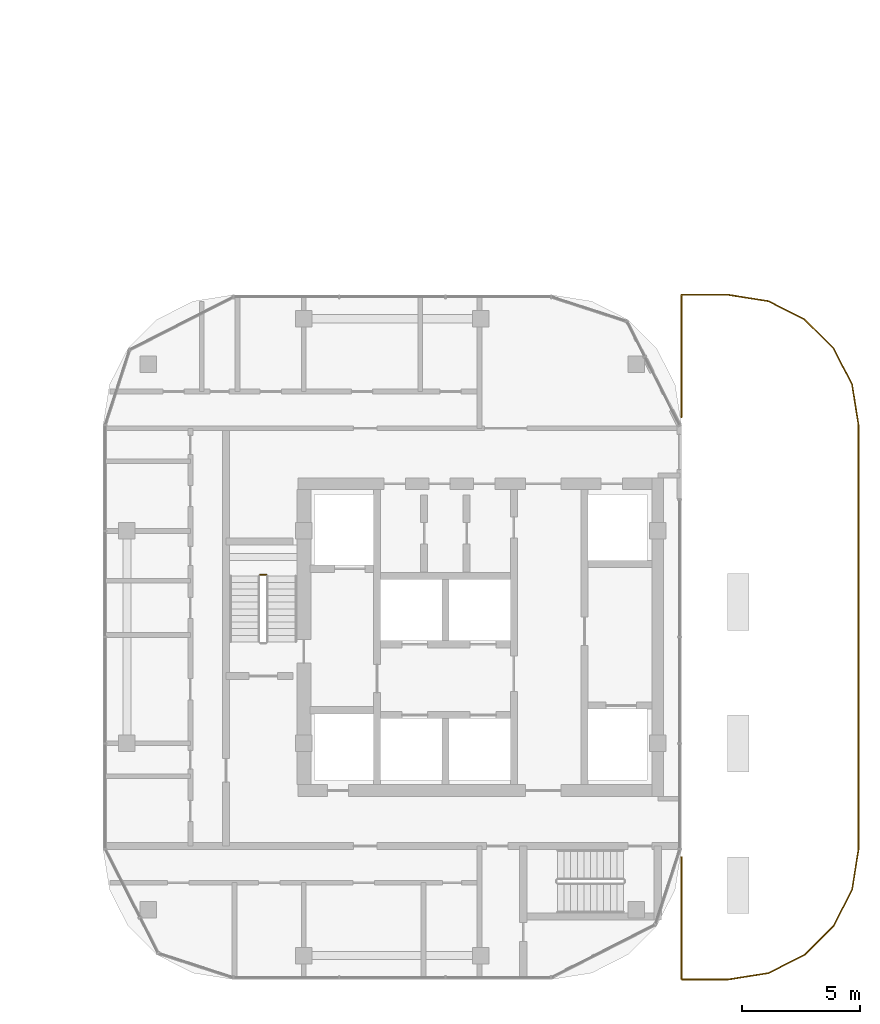
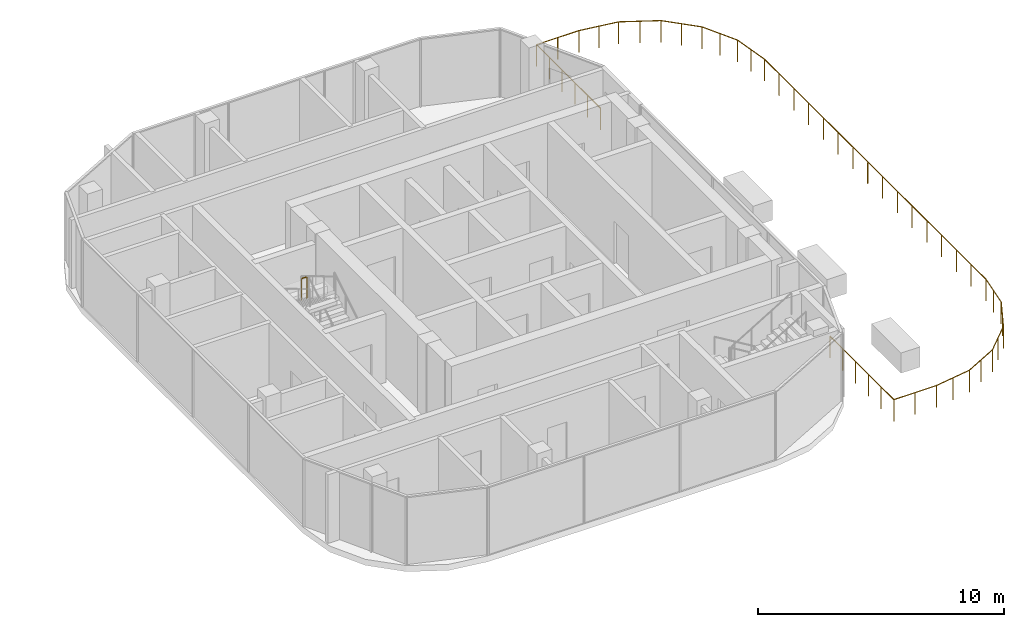
# One storey, part 35 of 35: 3 railings.
"""IFC4 building model written with IfcOpenShell, lengths in metres."""

from ifc_helpers import new_model, si_unit, direction, frame, origin, origin_2d, place, context, subcontext, project, spatial, circle, extrude, material, type_object, element, save


model = new_model("IFC4")

# Units and contexts
model_context = context("Model", 3, precision=1e-05, world=origin(), true_north=direction((0.0, 1.0)))
body_context = subcontext(model_context, "Body", "Model", "MODEL_VIEW")
ifc_project = project(units=[si_unit("LENGTHUNIT", "METRE"), si_unit("AREAUNIT", "SQUARE_METRE"), si_unit("VOLUMEUNIT", "CUBIC_METRE"), si_unit("PLANEANGLEUNIT", "RADIAN"), si_unit("MASSUNIT", "GRAM", prefix="KILO")], contexts=[model_context])

# Site, building, storey
site_placement = place(None, origin())
site = spatial("IfcSite", under=ifc_project, at=site_placement, CompositionType="ELEMENT")
building_placement = place(site_placement, origin())
building = spatial("IfcBuilding", under=site, at=building_placement, Name="Ogive Portal Towers", CompositionType="ELEMENT")
storey_placement = place(building_placement, frame((0.0, 0.0, 94.5)))
storey = spatial("IfcBuildingStorey", under=building, at=storey_placement, Name="L22", CompositionType="ELEMENT", Elevation=94.5)

# Railings
ifc_material_1 = material(Name="Steel S355", Category="steel")
railing_type_1 = type_object("IfcRailingType", Name="BALUSTRADE GLASS 1100", PredefinedType="BALUSTRADE", material=ifc_material_1)
railing_1_placement = place(storey_placement, frame((145.010009765625, 40.319580078125, 0.0)))
element("IfcRailing", 1, at=railing_1_placement, inside=storey, type_object=railing_type_1, Name="B:L22:terrace:rail0", PredefinedType="BALUSTRADE", context=body_context, shape_type="SweptSolid", body=[
    extrude(circle(Radius=0.02392578125, at=origin_2d()), frame((0.0, 0.0, 1.076171875), z_axis=(0.0, 1.0, 0.0), x_axis=(-1.0, 0.0, 0.0)), (0.0, 0.0, 1.0), 5.1904296875),
    extrude(circle(Radius=0.02392578125, at=origin_2d()), frame((0.0, 5.1904296875, 1.076171875), z_axis=(1.0, 0.0, 0.0), x_axis=(0.0, 1.0, 0.0)), (0.0, 0.0, 1.0), 1.989990234375),
    extrude(circle(Radius=0.02099609375, at=origin_2d()), origin(), (0.0, 0.0, 1.0), 1.052001953125),
    extrude(circle(Radius=0.02099609375, at=origin_2d()), frame((0.0, 1.0380859375, 0.0)), (0.0, 0.0, 1.0), 1.052001953125),
    extrude(circle(Radius=0.02099609375, at=origin_2d()), frame((0.0, 2.076171875, 0.0)), (0.0, 0.0, 1.0), 1.052001953125),
    extrude(circle(Radius=0.02099609375, at=origin_2d()), frame((0.0, 3.1142578125, 0.0)), (0.0, 0.0, 1.0), 1.052001953125),
    extrude(circle(Radius=0.02099609375, at=origin_2d()), frame((0.0, 4.15234375, 0.0)), (0.0, 0.0, 1.0), 1.052001953125),
    extrude(circle(Radius=0.02099609375, at=origin_2d()), frame((0.0, 5.1904296875, 0.0)), (0.0, 0.0, 1.0), 1.052001953125),
    extrude(circle(Radius=0.02099609375, at=origin_2d()), frame((0.9951171875, 5.1904296875, 0.0)), (0.0, 0.0, 1.0), 1.052001953125),
    extrude(circle(Radius=0.02099609375, at=origin_2d()), frame((1.989990234375, 5.1904296875, 0.0)), (0.0, 0.0, 1.0), 1.052001953125),
])
railing_2_placement = place(storey_placement, frame((147.0, 45.510009765625, 0.0)))
element("IfcRailing", 2, at=railing_2_placement, inside=storey, type_object=railing_type_1, Name="B:L22:terrace:rail1", PredefinedType="BALUSTRADE", context=body_context, shape_type="SweptSolid", body=[
    extrude(circle(Radius=0.02392578125, at=origin_2d()), frame((0.0, 0.0, 1.076171875), z_axis=(0.987678997136, -0.156493445919, 0.0), x_axis=(0.156493445919, 0.987678997136, 0.0)), (0.0, 0.0, 1.0), 1.723876953125),
    extrude(circle(Radius=0.02392578125, at=origin_2d()), frame((1.70263671875, -0.269775390625, 1.076171875), z_axis=(0.891060030147, -0.453885473081, 0.0), x_axis=(0.453885473081, 0.891060030147, 0.0)), (0.0, 0.0, 1.0), 1.723876953125),
    extrude(circle(Radius=0.02392578125, at=origin_2d()), frame((3.23876953125, -1.05224609375, 1.076171875), z_axis=(0.707106781187, -0.707106781187, 0.0), x_axis=(0.707106781187, 0.707106781187, 0.0)), (0.0, 0.0, 1.0), 1.723876953125),
    extrude(circle(Radius=0.02392578125, at=origin_2d()), frame((4.457763671875, -2.271240234375, 1.076171875), z_axis=(0.453885473081, -0.891060030147, 0.0), x_axis=(0.891060030147, 0.453885473081, 0.0)), (0.0, 0.0, 1.0), 1.723876953125),
    extrude(circle(Radius=0.02392578125, at=origin_2d()), frame((5.240234375, -3.807373046875, 1.076171875), z_axis=(0.156493445919, -0.987678997136, 0.0), x_axis=(0.987678997136, 0.156493445919, 0.0)), (0.0, 0.0, 1.0), 1.723876953125),
    extrude(circle(Radius=0.02392578125, at=origin_2d()), frame((5.510009765625, -5.510009765625, 1.076171875), z_axis=(0.0, -1.0, 0.0), x_axis=(1.0, 0.0, 0.0)), (0.0, 0.0, 1.0), 18.0),
    extrude(circle(Radius=0.02392578125, at=origin_2d()), frame((5.510009765625, -23.510009765625, 1.076171875), z_axis=(-0.156493445919, -0.987678997136, 0.0), x_axis=(0.987678997136, -0.156493445919, 0.0)), (0.0, 0.0, 1.0), 1.723876953125),
    extrude(circle(Radius=0.02392578125, at=origin_2d()), frame((5.240234375, -25.212646484375, 1.076171875), z_axis=(-0.453885473081, -0.891060030147, 0.0), x_axis=(0.891060030147, -0.453885473081, 0.0)), (0.0, 0.0, 1.0), 1.723876953125),
    extrude(circle(Radius=0.02392578125, at=origin_2d()), frame((4.457763671875, -26.748779296875, 1.076171875), z_axis=(-0.707106781187, -0.707106781187, 0.0), x_axis=(0.707106781187, -0.707106781187, 0.0)), (0.0, 0.0, 1.0), 1.723876953125),
    extrude(circle(Radius=0.02392578125, at=origin_2d()), frame((3.23876953125, -27.9677734375, 1.076171875), z_axis=(-0.891060030147, -0.453885473081, 0.0), x_axis=(0.453885473081, -0.891060030147, 0.0)), (0.0, 0.0, 1.0), 1.723876953125),
    extrude(circle(Radius=0.02392578125, at=origin_2d()), frame((1.70263671875, -28.750244140625, 1.076171875), z_axis=(-0.987678997136, -0.156493445919, 0.0), x_axis=(0.156493445919, -0.987678997136, 0.0)), (0.0, 0.0, 1.0), 1.723876953125),
    extrude(circle(Radius=0.02392578125, at=origin_2d()), frame((0.0, -29.02001953125, 1.076171875), z_axis=(-1.0, 0.0, 0.0), x_axis=(0.0, -1.0, 0.0)), (0.0, 0.0, 1.0), 1.989990234375),
    extrude(circle(Radius=0.02392578125, at=origin_2d()), frame((-1.989990234375, -29.02001953125, 1.076171875), z_axis=(0.0, 1.0, 0.0), x_axis=(-1.0, 0.0, 0.0)), (0.0, 0.0, 1.0), 5.1904296875),
    extrude(circle(Radius=0.02099609375, at=origin_2d()), origin(), (0.0, 0.0, 1.0), 1.052001953125),
    extrude(circle(Radius=0.02099609375, at=origin_2d()), frame((0.851318359375, -0.134765625, 0.0)), (0.0, 0.0, 1.0), 1.052001953125),
    extrude(circle(Radius=0.02099609375, at=origin_2d()), frame((1.70263671875, -0.269775390625, 0.0)), (0.0, 0.0, 1.0), 1.052001953125),
    extrude(circle(Radius=0.02099609375, at=origin_2d()), frame((2.470703125, -0.6611328125, 0.0)), (0.0, 0.0, 1.0), 1.052001953125),
    extrude(circle(Radius=0.02099609375, at=origin_2d()), frame((3.23876953125, -1.05224609375, 0.0)), (0.0, 0.0, 1.0), 1.052001953125),
    extrude(circle(Radius=0.02099609375, at=origin_2d()), frame((3.84814453125, -1.66162109375, 0.0)), (0.0, 0.0, 1.0), 1.052001953125),
    extrude(circle(Radius=0.02099609375, at=origin_2d()), frame((4.457763671875, -2.271240234375, 0.0)), (0.0, 0.0, 1.0), 1.052001953125),
    extrude(circle(Radius=0.02099609375, at=origin_2d()), frame((4.84912109375, -3.039306640625, 0.0)), (0.0, 0.0, 1.0), 1.052001953125),
    extrude(circle(Radius=0.02099609375, at=origin_2d()), frame((5.240234375, -3.807373046875, 0.0)), (0.0, 0.0, 1.0), 1.052001953125),
    extrude(circle(Radius=0.02099609375, at=origin_2d()), frame((5.375, -4.65869140625, 0.0)), (0.0, 0.0, 1.0), 1.052001953125),
    extrude(circle(Radius=0.02099609375, at=origin_2d()), frame((5.510009765625, -5.510009765625, 0.0)), (0.0, 0.0, 1.0), 1.052001953125),
    extrude(circle(Radius=0.02099609375, at=origin_2d()), frame((5.510009765625, -6.7099609375, 0.0)), (0.0, 0.0, 1.0), 1.052001953125),
    extrude(circle(Radius=0.02099609375, at=origin_2d()), frame((5.510009765625, -7.909912109375, 0.0)), (0.0, 0.0, 1.0), 1.052001953125),
    extrude(circle(Radius=0.02099609375, at=origin_2d()), frame((5.510009765625, -9.110107421875, 0.0)), (0.0, 0.0, 1.0), 1.052001953125),
    extrude(circle(Radius=0.02099609375, at=origin_2d()), frame((5.510009765625, -10.31005859375, 0.0)), (0.0, 0.0, 1.0), 1.052001953125),
    extrude(circle(Radius=0.02099609375, at=origin_2d()), frame((5.510009765625, -11.510009765625, 0.0)), (0.0, 0.0, 1.0), 1.052001953125),
    extrude(circle(Radius=0.02099609375, at=origin_2d()), frame((5.510009765625, -12.7099609375, 0.0)), (0.0, 0.0, 1.0), 1.052001953125),
    extrude(circle(Radius=0.02099609375, at=origin_2d()), frame((5.510009765625, -13.909912109375, 0.0)), (0.0, 0.0, 1.0), 1.052001953125),
    extrude(circle(Radius=0.02099609375, at=origin_2d()), frame((5.510009765625, -15.110107421875, 0.0)), (0.0, 0.0, 1.0), 1.052001953125),
    extrude(circle(Radius=0.02099609375, at=origin_2d()), frame((5.510009765625, -16.31005859375, 0.0)), (0.0, 0.0, 1.0), 1.052001953125),
    extrude(circle(Radius=0.02099609375, at=origin_2d()), frame((5.510009765625, -17.510009765625, 0.0)), (0.0, 0.0, 1.0), 1.052001953125),
    extrude(circle(Radius=0.02099609375, at=origin_2d()), frame((5.510009765625, -18.7099609375, 0.0)), (0.0, 0.0, 1.0), 1.052001953125),
    extrude(circle(Radius=0.02099609375, at=origin_2d()), frame((5.510009765625, -19.909912109375, 0.0)), (0.0, 0.0, 1.0), 1.052001953125),
    extrude(circle(Radius=0.02099609375, at=origin_2d()), frame((5.510009765625, -21.110107421875, 0.0)), (0.0, 0.0, 1.0), 1.052001953125),
    extrude(circle(Radius=0.02099609375, at=origin_2d()), frame((5.510009765625, -22.31005859375, 0.0)), (0.0, 0.0, 1.0), 1.052001953125),
    extrude(circle(Radius=0.02099609375, at=origin_2d()), frame((5.510009765625, -23.510009765625, 0.0)), (0.0, 0.0, 1.0), 1.052001953125),
    extrude(circle(Radius=0.02099609375, at=origin_2d()), frame((5.375, -24.361328125, 0.0)), (0.0, 0.0, 1.0), 1.052001953125),
    extrude(circle(Radius=0.02099609375, at=origin_2d()), frame((5.240234375, -25.212646484375, 0.0)), (0.0, 0.0, 1.0), 1.052001953125),
    extrude(circle(Radius=0.02099609375, at=origin_2d()), frame((4.84912109375, -25.980712890625, 0.0)), (0.0, 0.0, 1.0), 1.052001953125),
    extrude(circle(Radius=0.02099609375, at=origin_2d()), frame((4.457763671875, -26.748779296875, 0.0)), (0.0, 0.0, 1.0), 1.052001953125),
    extrude(circle(Radius=0.02099609375, at=origin_2d()), frame((3.84814453125, -27.3583984375, 0.0)), (0.0, 0.0, 1.0), 1.052001953125),
    extrude(circle(Radius=0.02099609375, at=origin_2d()), frame((3.23876953125, -27.9677734375, 0.0)), (0.0, 0.0, 1.0), 1.052001953125),
    extrude(circle(Radius=0.02099609375, at=origin_2d()), frame((2.470703125, -28.35888671875, 0.0)), (0.0, 0.0, 1.0), 1.052001953125),
    extrude(circle(Radius=0.02099609375, at=origin_2d()), frame((1.70263671875, -28.750244140625, 0.0)), (0.0, 0.0, 1.0), 1.052001953125),
    extrude(circle(Radius=0.02099609375, at=origin_2d()), frame((0.851318359375, -28.88525390625, 0.0)), (0.0, 0.0, 1.0), 1.052001953125),
    extrude(circle(Radius=0.02099609375, at=origin_2d()), frame((0.0, -29.02001953125, 0.0)), (0.0, 0.0, 1.0), 1.052001953125),
    extrude(circle(Radius=0.02099609375, at=origin_2d()), frame((-0.9951171875, -29.02001953125, 0.0)), (0.0, 0.0, 1.0), 1.052001953125),
    extrude(circle(Radius=0.02099609375, at=origin_2d()), frame((-1.989990234375, -29.02001953125, 0.0)), (0.0, 0.0, 1.0), 1.052001953125),
    extrude(circle(Radius=0.02099609375, at=origin_2d()), frame((-1.989990234375, -27.98193359375, 0.0)), (0.0, 0.0, 1.0), 1.052001953125),
    extrude(circle(Radius=0.02099609375, at=origin_2d()), frame((-1.989990234375, -26.94384765625, 0.0)), (0.0, 0.0, 1.0), 1.052001953125),
    extrude(circle(Radius=0.02099609375, at=origin_2d()), frame((-1.989990234375, -25.90576171875, 0.0)), (0.0, 0.0, 1.0), 1.052001953125),
    extrude(circle(Radius=0.02099609375, at=origin_2d()), frame((-1.989990234375, -24.86767578125, 0.0)), (0.0, 0.0, 1.0), 1.052001953125),
    extrude(circle(Radius=0.02099609375, at=origin_2d()), frame((-1.989990234375, -23.82958984375, 0.0)), (0.0, 0.0, 1.0), 1.052001953125),
])
ifc_material_2 = material(Name="Stainless steel balustrade", Category="steel")
railing_type_2 = type_object("IfcRailingType", Name="INT-GUARD", PredefinedType="GUARDRAIL", material=ifc_material_2)
railing_3_placement = place(storey_placement, frame((127.39990234375, 33.64990234375, 1.85009765625)))
element("IfcRailing", 3, at=railing_3_placement, inside=storey, type_object=railing_type_2, Name="L22 ST-B1 stair guard 2", PredefinedType="GUARDRAIL", context=body_context, shape_type="SweptSolid", body=[
    extrude(circle(Radius=0.02392578125, at=origin_2d()), frame((0.0, 0.0, 1.076171875), z_axis=(-1.0, 0.0, 0.0), x_axis=(0.0, -1.0, 0.0)), (0.0, 0.0, 1.0), 0.25),
    extrude(circle(Radius=0.02099609375, at=origin_2d()), origin(), (0.0, 0.0, 1.0), 1.052001953125),
    extrude(circle(Radius=0.02099609375, at=origin_2d()), frame((-0.25, 0.0, 0.0)), (0.0, 0.0, 1.0), 1.052001953125),
])

save(model, "model.ifc")
